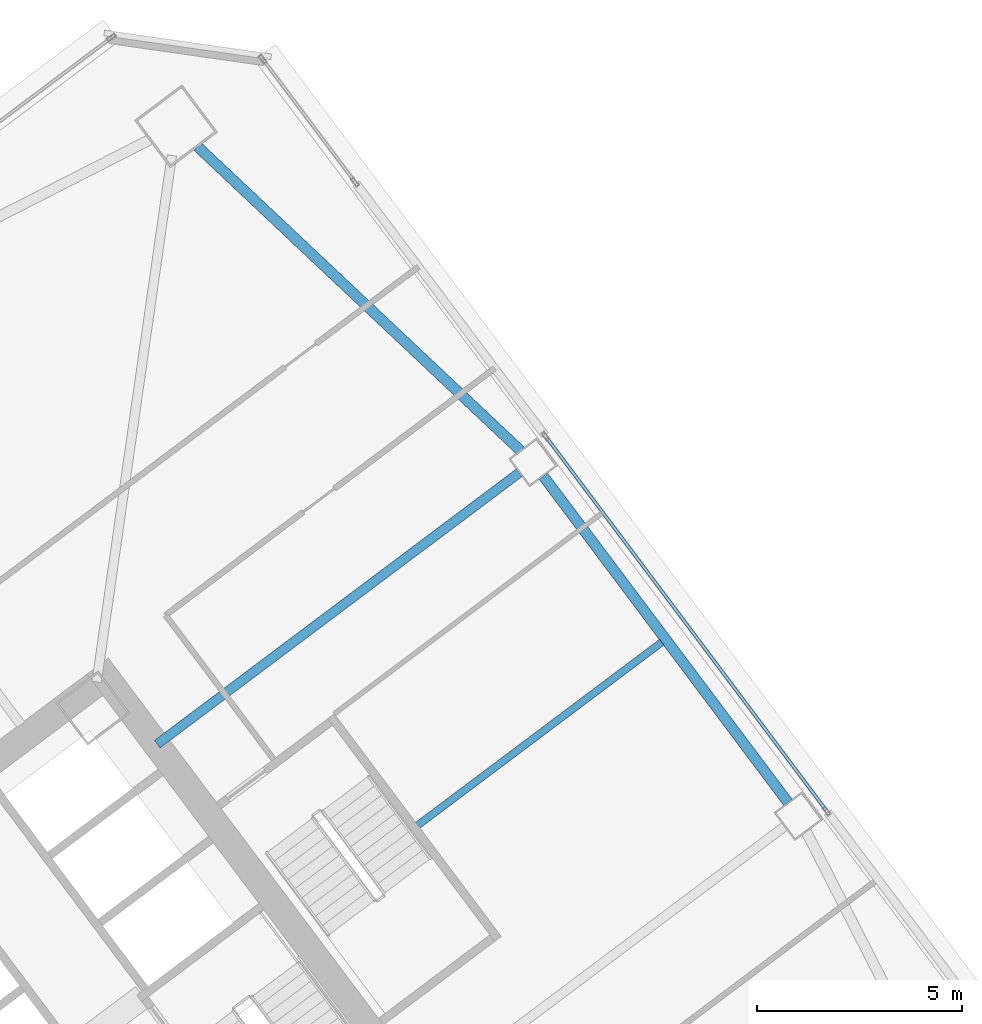
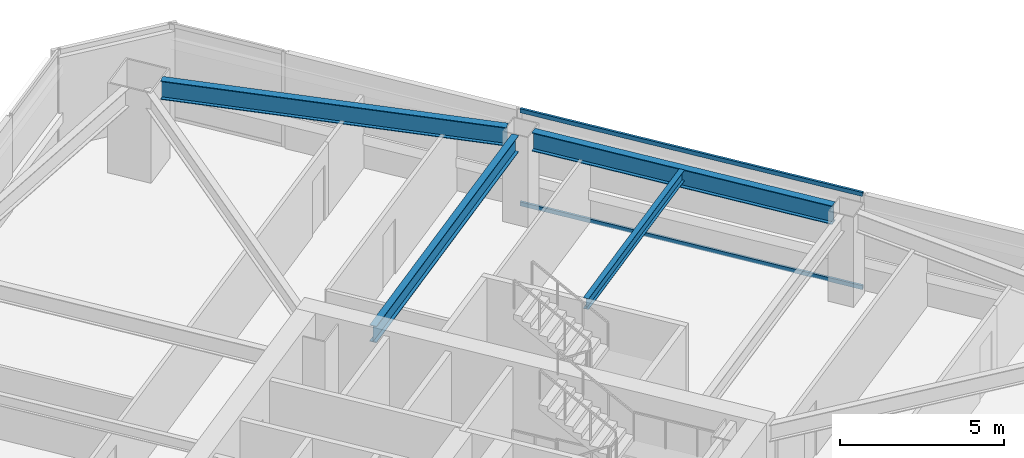
# One storey, part 32 of 47: 4 beams, 2 members, 1 element without a shape of its own.
"""IFC4 building model written with IfcOpenShell, lengths in metres."""

from ifc_helpers import new_model, si_unit, direction, frame, origin, origin_2d, place, context, subcontext, project, spatial, hollow_rectangle, i_section, extrude, material, material_profile, profile_set, type_object, element, aggregate, save


model = new_model("IFC4")

# Units and contexts
model_context = context("Model", 3, precision=1e-05, world=origin(), true_north=direction((0.0, 1.0)))
body_context = subcontext(model_context, "Body", "Model", "MODEL_VIEW")
ifc_project = project(units=[si_unit("LENGTHUNIT", "METRE"), si_unit("AREAUNIT", "SQUARE_METRE"), si_unit("VOLUMEUNIT", "CUBIC_METRE"), si_unit("PLANEANGLEUNIT", "RADIAN"), si_unit("MASSUNIT", "GRAM", prefix="KILO")], contexts=[model_context])

# Site, building, storey
site_placement = place(None, origin())
site = spatial("IfcSite", under=ifc_project, at=site_placement, CompositionType="ELEMENT")
building_placement = place(site_placement, origin())
building = spatial("IfcBuilding", under=site, at=building_placement, Name="Tashvorn Skyway Center", CompositionType="ELEMENT")
storey_placement = place(building_placement, frame((0.0, 0.0, 81.39990234375)))
storey = spatial("IfcBuildingStorey", under=building, at=storey_placement, Name="L21", CompositionType="ELEMENT", Elevation=81.39990234375)

# Beams
ifc_material_1 = material(Name="Steel ASTM A992 Grade 50", Category="steel")
ifc_material_profile_1 = material_profile(ifc_material_1, i_section(OverallWidth=0.22998046875, OverallDepth=0.616943359375, WebThickness=0.01318359375, FlangeThickness=0.022216796875, at=origin_2d()), Name="W24X94")
ifc_profile_set_1 = profile_set([ifc_material_profile_1], Name="Steel ASTM A992 Grade 50")
beam_type_1 = type_object("IfcBeamType", Name="BM-BEAM-W24X94", PredefinedType="BEAM", material=ifc_profile_set_1)
beam_1_placement = place(storey_placement, frame((125.823974609375, 47.617919921875, 3.04150390625), z_axis=(-0.800007953832, -0.599989394744, 0.0), x_axis=(0.599989394744, -0.800007953832, 0.0)))
element("IfcBeam", 1, at=beam_1_placement, inside=storey, type_object=beam_type_1, Name="Tower 2 L21 Primary Floor Girder FC-E2", PredefinedType="BEAM", context=body_context, shape_type="SweptSolid", body=[
    extrude(i_section(OverallWidth=0.22998046875, OverallDepth=0.616943359375, WebThickness=0.01318359375, FlangeThickness=0.022216796875, at=origin_2d()), origin(), (0.0, 0.0, 1.0), 11.050048828125),
])
ifc_material_profile_2 = material_profile(ifc_material_1, i_section(OverallWidth=0.177978515625, OverallDepth=0.406005859375, WebThickness=0.0078125, FlangeThickness=0.0126953125, at=origin_2d()), Name="W16X40")
ifc_profile_set_2 = profile_set([ifc_material_profile_2], Name="Steel ASTM A992 Grade 50")
beam_type_2 = type_object("IfcBeamType", Name="BM-JOIST-W16X40", PredefinedType="JOIST", material=ifc_profile_set_2)
beam_2_placement = place(storey_placement, frame((123.3359375, 39.001953125, 3.147216796875), z_axis=(0.799996072819, 0.600005236206, 0.0), x_axis=(-0.600005236206, 0.799996072819, 0.0)))
element("IfcBeam", 2, at=beam_2_placement, inside=storey, type_object=beam_type_2, Name="Tower 2 L21 Secondary Composite Joist JE", PredefinedType="JOIST", context=body_context, shape_type="SweptSolid", body=[
    extrude(i_section(OverallWidth=0.177978515625, OverallDepth=0.406005859375, WebThickness=0.0078125, FlangeThickness=0.0126953125, at=origin_2d()), origin(), (0.0, 0.0, 1.0), 7.4599609375),
])
ifc_material_profile_3 = material_profile(ifc_material_1, i_section(OverallWidth=0.256103515625, OverallDepth=0.693115234375, WebThickness=0.014404296875, FlangeThickness=0.023681640625, at=origin_2d()), Name="W27X114")
ifc_profile_set_3 = profile_set([ifc_material_profile_3], Name="Steel ASTM A992 Grade 50")
beam_type_3 = type_object("IfcBeamType", Name="BM-SPANDREL-W27X114", PredefinedType="SPANDREL", material=ifc_profile_set_3)
beam_3_placement = place(storey_placement, frame((132.387939453125, 39.56591796875, 3.003662109375), z_axis=(-0.599988234018, 0.800008824351, 0.0), x_axis=(-0.800008824351, -0.599988234018, 0.0)))
element("IfcBeam", 3, at=beam_3_placement, inside=storey, type_object=beam_type_3, Name="Tower 2 L21 Spandrel Beam 05", PredefinedType="SPANDREL", context=body_context, shape_type="SweptSolid", body=[
    extrude(i_section(OverallWidth=0.256103515625, OverallDepth=0.693115234375, WebThickness=0.014404296875, FlangeThickness=0.023681640625, at=origin_2d()), origin(), (0.0, 0.0, 1.0), 9.9599609375),
])
beam_4_placement = place(storey_placement, frame((125.854248046875, 48.157958984375, 3.003662109375), z_axis=(-0.728086883893, 0.685484857238, 0.0), x_axis=(-0.685484857238, -0.728086883893, 0.0)))
element("IfcBeam", 4, at=beam_4_placement, inside=storey, type_object=beam_type_3, Name="Tower 2 L21 Spandrel Beam 06", PredefinedType="SPANDREL", context=body_context, shape_type="SweptSolid", body=[
    extrude(i_section(OverallWidth=0.256103515625, OverallDepth=0.693115234375, WebThickness=0.014404296875, FlangeThickness=0.023681640625, at=origin_2d()), origin(), (0.0, 0.0, 1.0), 10.8369140625),
])

# Curtain wall, members
ifc_material_2 = material(Name="Thermally broken bronze-anodized aluminium 6063-T6", Category="aluminium")
curtain_wall_type = type_object("IfcCurtainWallType", Name="CW-CW-Z2", PredefinedType="NOTDEFINED", material=ifc_material_2)
curtain_wall_placement = place(storey_placement, origin())
curtain_wall = element("IfcCurtainWall", 5, at=curtain_wall_placement, inside=storey, type_object=curtain_wall_type, Name="Tower 2 L21 East Unitised Curtain Wall Glazing Group 2", PredefinedType="NOTDEFINED")
ifc_material_profile_4 = material_profile(ifc_material_2, hollow_rectangle(XDim=0.080078125, YDim=0.14990234375, WallThickness=0.00439453125, at=origin_2d()), Name="ALU-TRAN-80x150")
ifc_profile_set_4 = profile_set([ifc_material_profile_4], Name="Thermally broken bronze-anodized aluminium 6063-T6")
member_type = type_object("IfcMemberType", Name="CWT-CW-Z2", PredefinedType="USERDEFINED", material=ifc_profile_set_4)
member_1_placement = place(storey_placement, frame((126.49609375, 48.471923828125, 0.0400390625), z_axis=(0.6, -0.8, 0.0), x_axis=(0.8, 0.6, 0.0)))
member_1 = element("IfcMember", 6, at=member_1_placement, type_object=member_type, Name="CW-Z2 transom 1.1", ObjectType="TRANSOM", PredefinedType="USERDEFINED", context=body_context, shape_type="SweptSolid", body=[
    extrude(hollow_rectangle(XDim=0.080078125, YDim=0.14990234375, WallThickness=0.00439453125, at=origin_2d()), origin(), (0.0, 0.0, 1.0), 11.35986328125),
])
member_2_placement = place(storey_placement, frame((126.49609375, 48.471923828125, 3.510009765625), z_axis=(0.6, -0.8, 0.0), x_axis=(0.8, 0.6, 0.0)))
member_2 = element("IfcMember", 7, at=member_2_placement, type_object=member_type, Name="CW-Z2 transom 1.2", ObjectType="TRANSOM", PredefinedType="USERDEFINED", context=body_context, shape_type="SweptSolid", body=[
    extrude(hollow_rectangle(XDim=0.080078125, YDim=0.14990234375, WallThickness=0.00439453125, at=origin_2d()), origin(), (0.0, 0.0, 1.0), 11.35986328125),
])
aggregate(curtain_wall, [member_1, member_2])

save(model, "model.ifc")
